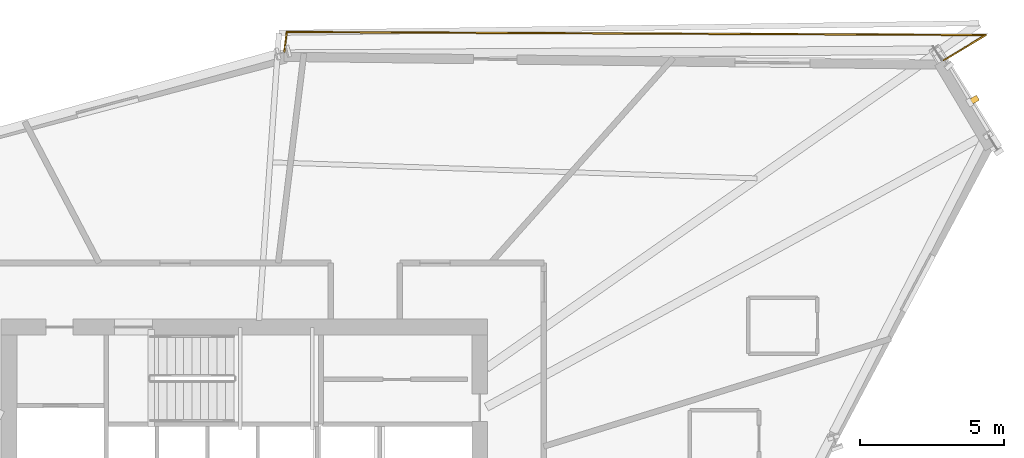
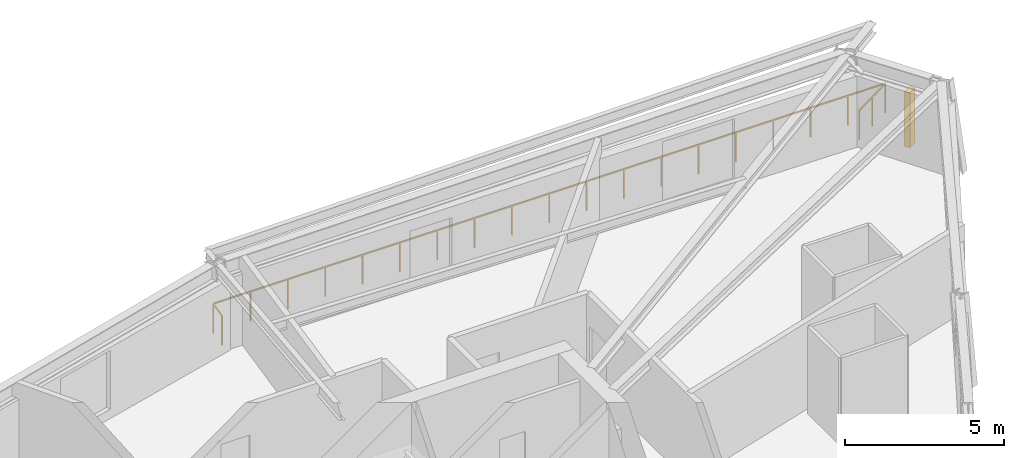
# One storey, part 15 of 15: 1 railing, 1 shading device.
"""IFC4 building model written with IfcOpenShell, lengths in metres."""

from ifc_helpers import new_model, si_unit, direction, frame, origin, origin_2d, place, context, subcontext, project, spatial, rectangle, extrude, source, transform, mapped, material, type_object, element, save


model = new_model("IFC4")

# Units and contexts
model_context = context("Model", 3, precision=1e-05, world=origin(), true_north=direction((0.0, 1.0)))
body_context = subcontext(model_context, "Body", "Model", "MODEL_VIEW")
ifc_project = project(units=[si_unit("LENGTHUNIT", "METRE"), si_unit("AREAUNIT", "SQUARE_METRE"), si_unit("VOLUMEUNIT", "CUBIC_METRE"), si_unit("PLANEANGLEUNIT", "RADIAN"), si_unit("MASSUNIT", "GRAM", prefix="KILO")], contexts=[model_context])

# Site, building, storey
site_placement = place(None, origin())
site = spatial("IfcSite", under=ifc_project, at=site_placement, CompositionType="ELEMENT")
building_placement = place(site_placement, origin())
building = spatial("IfcBuilding", under=site, at=building_placement, Name="Olszyna Solenne Hotel", CompositionType="ELEMENT")
storey_placement = place(building_placement, frame((0.0, 0.0, 160.800048828125)))
storey = spatial("IfcBuildingStorey", under=building, at=storey_placement, Name="L42", CompositionType="ELEMENT", Elevation=160.800048828125)

# Railing
ifc_material_1 = material(Name="Anodised bronze aluminium", Category="aluminium")
railing_type = type_object("IfcRailingType", Name="GR-110", PredefinedType="BALUSTRADE", material=ifc_material_1)
railing_placement = place(storey_placement, frame((62.302978515625, 43.24609375, 0.0)))
element("IfcRailing", 1, at=railing_placement, inside=storey, type_object=railing_type, Name="Loggia balcony balustrade guard GR-L42-LG1", PredefinedType="BALUSTRADE", context=body_context, shape_type="SweptSolid", body=[
    extrude(rectangle(XDim=0.048095703125, YDim=0.048095703125, at=origin_2d()), frame((0.0, 0.0, 1.1259765625), z_axis=(0.857008710915, 0.51530192064, 0.0), x_axis=(-0.51530192064, 0.857008710915, 0.0)), (0.0, 0.0, 1.0), 1.69189453125),
    extrude(rectangle(XDim=0.048095703125, YDim=0.048095703125, at=origin_2d()), frame((1.449951171875, 0.871826171875, 1.1259765625), z_axis=(-0.99999074083, 0.004303284171, 0.0), x_axis=(-0.004303284171, -0.99999074083, 0.0)), (0.0, 0.0, 1.0), 24.281982421875),
    extrude(rectangle(XDim=0.048095703125, YDim=0.048095703125, at=origin_2d()), frame((-22.831787109375, 0.976318359375, 1.1259765625), z_axis=(-0.126322022394, -0.991989287572, 0.0), x_axis=(0.991989287572, -0.126322022394, 0.0)), (0.0, 0.0, 1.0), 0.709228515625),
    extrude(rectangle(XDim=0.0419921875, YDim=0.0419921875, at=origin_2d()), origin(), (0.0, 0.0, 1.0), 1.101806640625),
    extrude(rectangle(XDim=0.0419921875, YDim=0.0419921875, at=origin_2d()), frame((0.72509765625, 0.43603515625, 0.0)), (0.0, 0.0, 1.0), 1.101806640625),
    extrude(rectangle(XDim=0.0419921875, YDim=0.0419921875, at=origin_2d()), frame((1.449951171875, 0.871826171875, 0.0)), (0.0, 0.0, 1.0), 1.101806640625),
    extrude(rectangle(XDim=0.0419921875, YDim=0.0419921875, at=origin_2d()), frame((0.10107421875, 0.877685546875, 0.0)), (0.0, 0.0, 1.0), 1.101806640625),
    extrude(rectangle(XDim=0.0419921875, YDim=0.0419921875, at=origin_2d()), frame((-1.248046875, 0.883544921875, 0.0)), (0.0, 0.0, 1.0), 1.101806640625),
    extrude(rectangle(XDim=0.0419921875, YDim=0.0419921875, at=origin_2d()), frame((-2.596923828125, 0.88916015625, 0.0)), (0.0, 0.0, 1.0), 1.101806640625),
    extrude(rectangle(XDim=0.0419921875, YDim=0.0419921875, at=origin_2d()), frame((-3.946044921875, 0.89501953125, 0.0)), (0.0, 0.0, 1.0), 1.101806640625),
    extrude(rectangle(XDim=0.0419921875, YDim=0.0419921875, at=origin_2d()), frame((-5.294921875, 0.90087890625, 0.0)), (0.0, 0.0, 1.0), 1.101806640625),
    extrude(rectangle(XDim=0.0419921875, YDim=0.0419921875, at=origin_2d()), frame((-6.64404296875, 0.90673828125, 0.0)), (0.0, 0.0, 1.0), 1.101806640625),
    extrude(rectangle(XDim=0.0419921875, YDim=0.0419921875, at=origin_2d()), frame((-7.992919921875, 0.912353515625, 0.0)), (0.0, 0.0, 1.0), 1.101806640625),
    extrude(rectangle(XDim=0.0419921875, YDim=0.0419921875, at=origin_2d()), frame((-9.342041015625, 0.918212890625, 0.0)), (0.0, 0.0, 1.0), 1.101806640625),
    extrude(rectangle(XDim=0.0419921875, YDim=0.0419921875, at=origin_2d()), frame((-10.69091796875, 0.924072265625, 0.0)), (0.0, 0.0, 1.0), 1.101806640625),
    extrude(rectangle(XDim=0.0419921875, YDim=0.0419921875, at=origin_2d()), frame((-12.039794921875, 0.929931640625, 0.0)), (0.0, 0.0, 1.0), 1.101806640625),
    extrude(rectangle(XDim=0.0419921875, YDim=0.0419921875, at=origin_2d()), frame((-13.388916015625, 0.935791015625, 0.0)), (0.0, 0.0, 1.0), 1.101806640625),
    extrude(rectangle(XDim=0.0419921875, YDim=0.0419921875, at=origin_2d()), frame((-14.73779296875, 0.94140625, 0.0)), (0.0, 0.0, 1.0), 1.101806640625),
    extrude(rectangle(XDim=0.0419921875, YDim=0.0419921875, at=origin_2d()), frame((-16.0869140625, 0.947265625, 0.0)), (0.0, 0.0, 1.0), 1.101806640625),
    extrude(rectangle(XDim=0.0419921875, YDim=0.0419921875, at=origin_2d()), frame((-17.435791015625, 0.953125, 0.0)), (0.0, 0.0, 1.0), 1.101806640625),
    extrude(rectangle(XDim=0.0419921875, YDim=0.0419921875, at=origin_2d()), frame((-18.784912109375, 0.958984375, 0.0)), (0.0, 0.0, 1.0), 1.101806640625),
    extrude(rectangle(XDim=0.0419921875, YDim=0.0419921875, at=origin_2d()), frame((-20.1337890625, 0.964599609375, 0.0)), (0.0, 0.0, 1.0), 1.101806640625),
    extrude(rectangle(XDim=0.0419921875, YDim=0.0419921875, at=origin_2d()), frame((-21.48291015625, 0.970458984375, 0.0)), (0.0, 0.0, 1.0), 1.101806640625),
    extrude(rectangle(XDim=0.0419921875, YDim=0.0419921875, at=origin_2d()), frame((-22.831787109375, 0.976318359375, 0.0)), (0.0, 0.0, 1.0), 1.101806640625),
    extrude(rectangle(XDim=0.0419921875, YDim=0.0419921875, at=origin_2d()), frame((-22.92138671875, 0.272705078125, 0.0)), (0.0, 0.0, 1.0), 1.101806640625),
])

# Shading device
ifc_material_2 = material(Name="Terracotta cladding", Category="masonry")
shading_device_type = type_object("IfcShadingDeviceType", Name="SH-FN1", PredefinedType="USERDEFINED", material=ifc_material_2)
shared_shape = source(origin(), body_context, "Body", "SweptSolid", [
    extrude(rectangle(XDim=0.199951171875, YDim=0.35009765625, at=origin_2d()), origin(), (0.0, 0.0, 1.0), 2.10009765625),
])
shading_device_placement = place(storey_placement, frame((63.32958984375, 41.85302734375, 0.310791015625), z_axis=(0.0, 0.0, 1.0), x_axis=(0.511293086077, -0.859406411501, 0.0)))
element("IfcShadingDevice", 2, at=shading_device_placement, inside=storey, type_object=shading_device_type, Name="Chamfer wind-corner terracotta fin FN-L42-09", ObjectType="FIN", PredefinedType="USERDEFINED", context=body_context, shape_type="MappedRepresentation", body=[
    mapped(shared_shape, transform((0.0, 0.0, 0.0), x_axis=(1.0, 0.0, 0.0), y_axis=(0.0, 1.0, 0.0), z_axis=(0.0, 0.0, 1.0), scale=1.0)),
])

save(model, "model.ifc")
